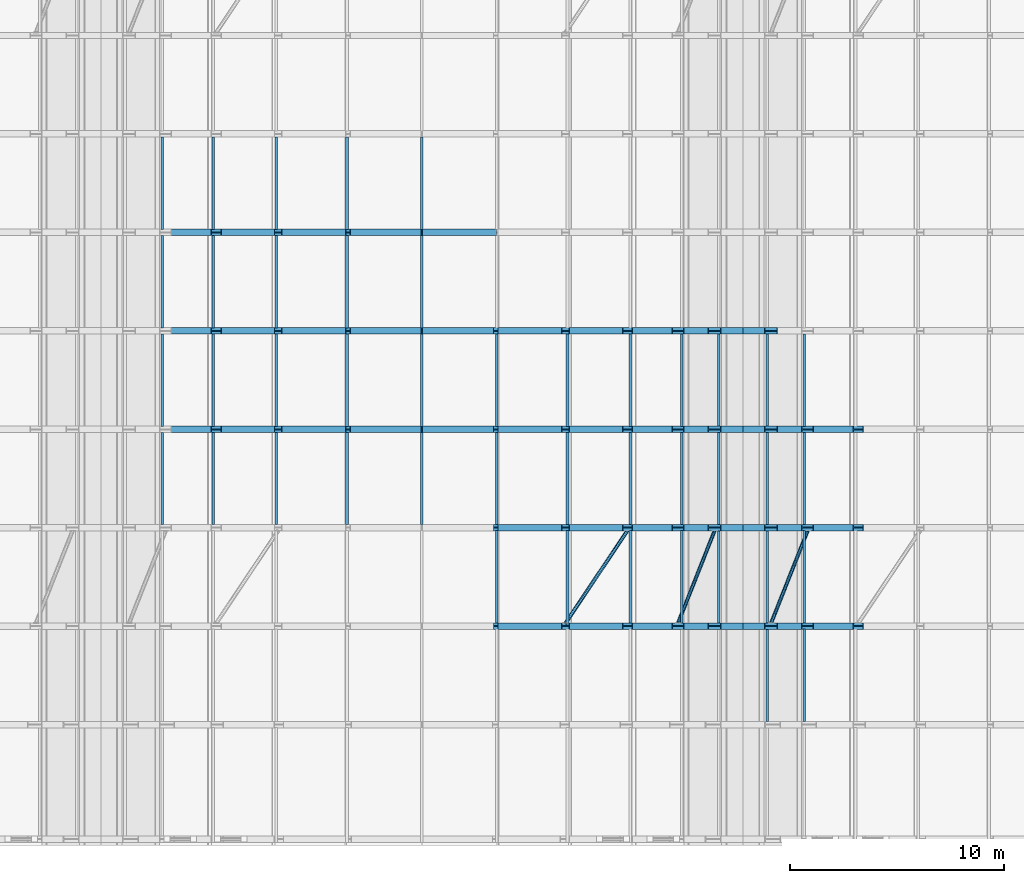
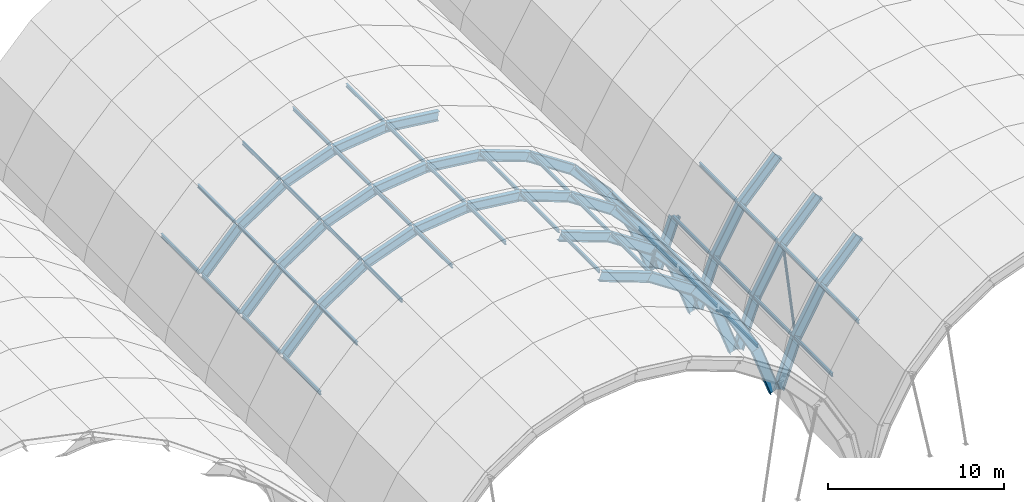
# One storey, part 10 of 47: 88 beams, 3 members.
"""IFC4 building model written with IfcOpenShell, lengths in metres."""

import ifcopenshell
import ifcopenshell.guid

model = None  # the IFC model being written
_history = None  # IfcOwnerHistory: only IFC2X3 demands one
_inside = {}  # id of a spatial element -> (the spatial element, [elements in it])
_under = {}  # id of a project, library or spatial element -> (it, [spatial elements below it])
_declared = {}  # id of a project -> (the project, [libraries it declares])
_typed = {}  # id of a type object -> (the type object, [elements of that type])
_made_of = {}  # id of a material, layer set ... -> (it, [elements and type objects made of it])


def new_model(schema):
    """Start an empty IFC model of exactly this schema.

    Asked for "IFC4X3", IfcOpenShell would pick the latest addendum, in which some entities
    have other attributes; the version numbers below select the first issue.
    IFC2X3 requires an IfcOwnerHistory on every rooted entity: one is made here for all.
    """
    global model, _history
    if schema == "IFC4X3":
        model = ifcopenshell.file(schema_version=(4, 3, 0, 0))
    else:
        model = ifcopenshell.file(schema=schema)
    _inside.clear()
    _under.clear()
    _declared.clear()
    _typed.clear()
    _made_of.clear()
    _history = None
    if model.schema == "IFC2X3":
        org = make("IfcOrganization", Name="unknown")
        user = make(
            "IfcPersonAndOrganization",
            ThePerson=make("IfcPerson", FamilyName="unknown"),
            TheOrganization=org,
        )
        app = make(
            "IfcApplication",
            ApplicationDeveloper=org,
            Version="unknown",
            ApplicationFullName="unknown",
            ApplicationIdentifier="unknown",
        )
        _history = make(
            "IfcOwnerHistory",
            OwningUser=user,
            OwningApplication=app,
            ChangeAction="ADDED",
            CreationDate=0,
        )
    return model


def make(cls, **values):
    """One entity of the class cls with the attributes given. An attribute that is None is left unset."""
    return model.create_entity(
        cls, **{name: value for name, value in values.items() if value is not None}
    )


def rooted(cls, **values):
    """An entity with a GlobalId (a new one), such as an element, a storey or a relation."""
    return make(cls, GlobalId=ifcopenshell.guid.new(), OwnerHistory=_history, **values)


def si_unit(unit_type, name, prefix=None):
    """IfcSIUnit, for example si_unit("LENGTHUNIT", "METRE", prefix="MILLI")."""
    return make("IfcSIUnit", UnitType=unit_type, Prefix=prefix, Name=name)


def assignment(units):
    """IfcUnitAssignment: the units of a project."""
    return None if units is None else make("IfcUnitAssignment", Units=units)


def point(xyz):
    """IfcCartesianPoint."""
    return None if xyz is None else make("IfcCartesianPoint", Coordinates=xyz)


def direction(xyz):
    """IfcDirection."""
    return None if xyz is None else make("IfcDirection", DirectionRatios=xyz)


def frame(location, z_axis=None, x_axis=None):
    """IfcAxis2Placement3D, a coordinate frame: its origin and axes. An axis left out is left unset."""
    return make(
        "IfcAxis2Placement3D",
        Location=point(location),
        Axis=direction(z_axis),
        RefDirection=direction(x_axis),
    )


def frame_2d(location, x_axis=None):
    """IfcAxis2Placement2D, a coordinate frame in the plane: its origin and x axis."""
    return make(
        "IfcAxis2Placement2D", Location=point(location), RefDirection=direction(x_axis)
    )


def origin():
    """The frame at (0, 0, 0) with its axes left unset."""
    return frame((0.0, 0.0, 0.0))


def origin_2d():
    """The frame at (0, 0) in the plane with its x axis left unset."""
    return frame_2d((0.0, 0.0))


def place(relative_to, where):
    """IfcLocalPlacement: puts the frame where relative to a parent placement (None: the world)."""
    return make(
        "IfcLocalPlacement", PlacementRelTo=relative_to, RelativePlacement=where
    )


def context(
    kind, dimensions, precision=None, world=None, true_north=None, identifier=None
):
    """IfcGeometricRepresentationContext, for example the 3D "Model" context."""
    return make(
        "IfcGeometricRepresentationContext",
        ContextIdentifier=identifier,
        ContextType=kind,
        CoordinateSpaceDimension=dimensions,
        Precision=precision,
        WorldCoordinateSystem=world,
        TrueNorth=true_north,
    )


def subcontext(parent, identifier, kind, view, scale=None):
    """IfcGeometricRepresentationSubContext, for example "Body" below "Model"."""
    return make(
        "IfcGeometricRepresentationSubContext",
        ContextIdentifier=identifier,
        ContextType=kind,
        ParentContext=parent,
        TargetScale=scale,
        TargetView=view,
    )


def project(units=None, contexts=None):
    """IfcProject with its units and contexts."""
    return rooted(
        "IfcProject",
        Name="project",
        RepresentationContexts=contexts,
        UnitsInContext=assignment(units),
    )


def spatial(cls, under=None, at=None, **own):
    """A site, building, storey or space (cls), placed at a placement, below another one or the project."""
    s = rooted(cls, ObjectPlacement=at, **own)
    if under is not None:
        _under.setdefault(under.id(), (under, []))[1].append(s)
    return s


def profile(cls, at=None, kind="AREA", **sizes):
    """A parametric profile (cls). Its sizes go by their IFC names, for example OverallWidth=200.0."""
    return make(cls, ProfileType=kind, Position=at, **sizes)


def hollow_circle(**sizes):
    """IfcCircleHollowProfileDef."""
    return profile("IfcCircleHollowProfileDef", **sizes)


def i_section(**sizes):
    """IfcIShapeProfileDef."""
    return profile("IfcIShapeProfileDef", **sizes)


def extrude(swept, where, along, depth):
    """IfcExtrudedAreaSolid: the profile swept, set in the frame where, extruded along a direction by depth."""
    return make(
        "IfcExtrudedAreaSolid",
        SweptArea=swept,
        Position=where,
        ExtrudedDirection=direction(along),
        Depth=depth,
    )


def shape(context_of_items, identifier, shape_type, items):
    """IfcShapeRepresentation: the items that make up one representation, for example the "Body"."""
    return make(
        "IfcShapeRepresentation",
        ContextOfItems=context_of_items,
        RepresentationIdentifier=identifier,
        RepresentationType=shape_type,
        Items=items,
    )


def material(Name=None, Category=None):
    """IfcMaterial."""
    return make("IfcMaterial", Name=Name, Category=Category)


def material_profile(
    of_material, cross_section, Name=None, Category=None, Priority=None
):
    """IfcMaterialProfile: a cross section and its material."""
    return make(
        "IfcMaterialProfile",
        Name=Name,
        Material=of_material,
        Profile=cross_section,
        Priority=Priority,
        Category=Category,
    )


def profile_set(profiles, Name=None, composite=None):
    """IfcMaterialProfileSet."""
    return make(
        "IfcMaterialProfileSet",
        Name=Name,
        MaterialProfiles=profiles,
        CompositeProfile=composite,
    )


def made_of(thing, what):
    """Note that an element or type object is made of a material, layer set ...; save() writes the relation."""
    if what is not None:
        _made_of.setdefault(what.id(), (what, []))[1].append(thing)
    return thing


def type_object(cls, material=None, **own):
    """A type object (cls), such as IfcWallType, which elements share."""
    return made_of(rooted(cls, **own), material)


def element(
    cls,
    number,
    at=None,
    inside=None,
    cuts=None,
    type_object=None,
    material=None,
    context=None,
    identifier="Body",
    shape_type=None,
    held_by="IfcProductDefinitionShape",
    body=None,
    shapes=None,
    **own,
):
    """One element of the class cls, such as IfcWall. Its Tag is "e" and its number.

    at: its placement. inside: the storey or other place that contains it. cuts: it is an
    opening in that element (IfcRelVoidsElement). A single representation is given by context,
    identifier, shape_type and body (its items); several are given by shapes. held_by: the class
    of the entity that holds the representations. save() writes the other relations.
    """
    e = rooted(cls, Tag="e%d" % number, ObjectPlacement=at, **own)
    if body is not None:
        shapes = [shape(context, identifier, shape_type, body)]
    if shapes is not None:
        e.Representation = make(held_by, Representations=shapes)
    if inside is not None:
        _inside.setdefault(inside.id(), (inside, []))[1].append(e)
    if cuts is not None:
        rooted(
            "IfcRelVoidsElement", RelatingBuildingElement=cuts, RelatedOpeningElement=e
        )
    if type_object is not None:
        _typed.setdefault(type_object.id(), (type_object, []))[1].append(e)
    return made_of(e, material)


def aggregate(whole, parts):
    """IfcRelAggregates: a whole, such as a stair, and the parts it consists of."""
    return rooted("IfcRelAggregates", RelatingObject=whole, RelatedObjects=parts)


def save(model, path):
    """Write the relations noted so far, then the file.

    IfcRelAggregates (storeys below a building ...), IfcRelContainedInSpatialStructure (elements
    in a storey), IfcRelDefinesByType, IfcRelAssociatesMaterial and IfcRelDeclares: one each for
    every whole, place, type object, material and project.
    """
    for whole, parts in _under.values():
        aggregate(whole, parts)
    for where, things in _inside.values():
        rooted(
            "IfcRelContainedInSpatialStructure",
            RelatedElements=things,
            RelatingStructure=where,
        )
    for kind, things in _typed.values():
        rooted("IfcRelDefinesByType", RelatedObjects=things, RelatingType=kind)
    for what, things in _made_of.values():
        rooted("IfcRelAssociatesMaterial", RelatedObjects=things, RelatingMaterial=what)
    for by, libraries in _declared.values():
        rooted("IfcRelDeclares", RelatingContext=by, RelatedDefinitions=libraries)
    model.write(path)


model = new_model("IFC4")

# Units and contexts
model_context = context("Model", 3, precision=1e-05, world=origin(), true_north=direction((0.0, 1.0)))
body_context = subcontext(model_context, "Body", "Model", "MODEL_VIEW")
ifc_project = project(units=[si_unit("LENGTHUNIT", "METRE"), si_unit("AREAUNIT", "SQUARE_METRE"), si_unit("VOLUMEUNIT", "CUBIC_METRE"), si_unit("PLANEANGLEUNIT", "RADIAN"), si_unit("MASSUNIT", "GRAM", prefix="KILO")], contexts=[model_context])

# Site, building, storey
site_placement = place(None, origin())
site = spatial("IfcSite", under=ifc_project, at=site_placement, CompositionType="ELEMENT")
building_placement = place(site_placement, origin())
building = spatial("IfcBuilding", under=site, at=building_placement, Name="Muzn Square Opera House", CompositionType="ELEMENT")
storey_placement = place(building_placement, frame((0.0, 0.0, 31.0)))
storey = spatial("IfcBuildingStorey", under=building, at=storey_placement, Name="RF-1", CompositionType="ELEMENT", Elevation=31.0)

# Beams
ifc_material = material(Name="Steel S355", Category="steel")
ifc_material_profile_1 = material_profile(ifc_material, i_section(OverallWidth=0.1201171875, OverallDepth=0.239990234375, WebThickness=0.006103515625, FlangeThickness=0.009765625, FilletRadius=0.014892578125, at=origin_2d()), Name="IPE 240", Category="steel")
ifc_profile_set_1 = profile_set([ifc_material_profile_1], Name="Steel S355")
beam_type_1 = type_object("IfcBeamType", Name="Roof Purlin IPE240", PredefinedType="USERDEFINED", material=ifc_profile_set_1)
for number, where, z_axis, x_axis, name in (
    (1, (91.498046875, 31.340087890625, -0.3720703125), (0.0, 1.0, 0.0), (-1.0, 0.0, 0.0), "Barrel Vault Roof Purlin V2-02-P14"),
    (2, (94.80419921875, 31.340087890625, -1.5869140625), (0.0, 1.0, 0.0), (-1.0, 0.0, 0.0), "Barrel Vault Roof Purlin V2-02-P16"),
    (3, (97.7373046875, 31.340087890625, -3.537109375), (0.0, 1.0, 0.0), (-1.0, 0.0, 0.0), "Barrel Vault Roof Purlin V2-02-P18"),
    (4, (100.13623046875, 31.340087890625, -6.1162109375), (0.0, 1.0, 0.0), (-1.0, 0.0, 0.0), "Barrel Vault Roof Purlin V2-02-P20"),
    (5, (101.869384765625, 31.340087890625, -9.1826171875), (0.0, 1.0, 0.0), (-1.0, 0.0, 0.0), "Barrel Vault Roof Purlin V2-02-P22"),
):
    element("IfcBeam", number, at=place(storey_placement, frame(where, z_axis=z_axis, x_axis=x_axis)), inside=storey, type_object=beam_type_1, Name=name, ObjectType="PURLIN", PredefinedType="USERDEFINED", context=body_context, shape_type="SweptSolid", body=[
        extrude(i_section(OverallWidth=0.1201171875, OverallDepth=0.239990234375, WebThickness=0.006103515625, FlangeThickness=0.009765625, FilletRadius=0.014892578125, at=origin_2d()), origin(), (0.0, 0.0, 1.0), 4.31982421875),
    ])
for number, where, z_axis, x_axis, name in (
    (6, (75.86376953125, 35.93994140625, -6.1162109375), (0.0, 1.0, 0.0), (-1.0, 0.0, 0.0), "Barrel Vault Roof Purlin V2-03-P04"),
    (7, (78.2626953125, 35.93994140625, -3.537109375), (0.0, 1.0, 0.0), (-1.0, 0.0, 0.0), "Barrel Vault Roof Purlin V2-03-P06"),
    (8, (81.19580078125, 35.93994140625, -1.5869140625), (0.0, 1.0, 0.0), (-1.0, 0.0, 0.0), "Barrel Vault Roof Purlin V2-03-P08"),
    (9, (84.501953125, 35.93994140625, -0.3720703125), (0.0, 1.0, 0.0), (-1.0, 0.0, 0.0), "Barrel Vault Roof Purlin V2-03-P10"),
    (10, (88.0, 35.93994140625, 0.0400390625), (0.0, 1.0, 0.0), (-1.0, 0.0, 0.0), "Barrel Vault Roof Purlin V2-03-P12"),
    (11, (91.498046875, 35.93994140625, -0.3720703125), (0.0, 1.0, 0.0), (-1.0, 0.0, 0.0), "Barrel Vault Roof Purlin V2-03-P14"),
    (12, (94.80419921875, 35.93994140625, -1.5869140625), (0.0, 1.0, 0.0), (-1.0, 0.0, 0.0), "Barrel Vault Roof Purlin V2-03-P16"),
    (13, (97.7373046875, 35.93994140625, -3.537109375), (0.0, 1.0, 0.0), (-1.0, 0.0, 0.0), "Barrel Vault Roof Purlin V2-03-P18"),
    (14, (100.13623046875, 35.93994140625, -6.1162109375), (0.0, 1.0, 0.0), (-1.0, 0.0, 0.0), "Barrel Vault Roof Purlin V2-03-P20"),
    (15, (101.869384765625, 35.93994140625, -9.1826171875), (0.0, 1.0, 0.0), (-1.0, 0.0, 0.0), "Barrel Vault Roof Purlin V2-03-P22"),
    (16, (75.86376953125, 40.5400390625, -6.1162109375), (0.0, 1.0, 0.0), (-1.0, 0.0, 0.0), "Barrel Vault Roof Purlin V2-04-P04"),
    (17, (78.2626953125, 40.5400390625, -3.537109375), (0.0, 1.0, 0.0), (-1.0, 0.0, 0.0), "Barrel Vault Roof Purlin V2-04-P06"),
    (18, (81.19580078125, 40.5400390625, -1.5869140625), (0.0, 1.0, 0.0), (-1.0, 0.0, 0.0), "Barrel Vault Roof Purlin V2-04-P08"),
    (19, (84.501953125, 40.5400390625, -0.3720703125), (0.0, 1.0, 0.0), (-1.0, 0.0, 0.0), "Barrel Vault Roof Purlin V2-04-P10"),
    (20, (88.0, 40.5400390625, 0.0400390625), (0.0, 1.0, 0.0), (-1.0, 0.0, 0.0), "Barrel Vault Roof Purlin V2-04-P12"),
    (21, (91.498046875, 40.5400390625, -0.3720703125), (0.0, 1.0, 0.0), (-1.0, 0.0, 0.0), "Barrel Vault Roof Purlin V2-04-P14"),
    (22, (94.80419921875, 40.5400390625, -1.5869140625), (0.0, 1.0, 0.0), (-1.0, 0.0, 0.0), "Barrel Vault Roof Purlin V2-04-P16"),
    (23, (97.7373046875, 40.5400390625, -3.537109375), (0.0, 1.0, 0.0), (-1.0, 0.0, 0.0), "Barrel Vault Roof Purlin V2-04-P18"),
    (24, (100.13623046875, 40.5400390625, -6.1162109375), (0.0, 1.0, 0.0), (-1.0, 0.0, 0.0), "Barrel Vault Roof Purlin V2-04-P20"),
    (25, (101.869384765625, 40.5400390625, -9.1826171875), (0.0, 1.0, 0.0), (-1.0, 0.0, 0.0), "Barrel Vault Roof Purlin V2-04-P22"),
    (26, (75.86376953125, 45.139892578125, -6.1162109375), (0.0, 1.0, 0.0), (-1.0, 0.0, 0.0), "Barrel Vault Roof Purlin V2-05-P04"),
    (27, (78.2626953125, 45.139892578125, -3.537109375), (0.0, 1.0, 0.0), (-1.0, 0.0, 0.0), "Barrel Vault Roof Purlin V2-05-P06"),
    (28, (81.19580078125, 45.139892578125, -1.5869140625), (0.0, 1.0, 0.0), (-1.0, 0.0, 0.0), "Barrel Vault Roof Purlin V2-05-P08"),
    (29, (84.501953125, 45.139892578125, -0.3720703125), (0.0, 1.0, 0.0), (-1.0, 0.0, 0.0), "Barrel Vault Roof Purlin V2-05-P10"),
    (30, (88.0, 45.139892578125, 0.0400390625), (0.0, 1.0, 0.0), (-1.0, 0.0, 0.0), "Barrel Vault Roof Purlin V2-05-P12"),
    (31, (75.86376953125, 49.739990234375, -6.1162109375), (0.0, 1.0, 0.0), (-1.0, 0.0, 0.0), "Barrel Vault Roof Purlin V2-06-P04"),
    (32, (78.2626953125, 49.739990234375, -3.537109375), (0.0, 1.0, 0.0), (-1.0, 0.0, 0.0), "Barrel Vault Roof Purlin V2-06-P06"),
    (33, (81.19580078125, 49.739990234375, -1.5869140625), (0.0, 1.0, 0.0), (-1.0, 0.0, 0.0), "Barrel Vault Roof Purlin V2-06-P08"),
    (34, (84.501953125, 49.739990234375, -0.3720703125), (0.0, 1.0, 0.0), (-1.0, 0.0, 0.0), "Barrel Vault Roof Purlin V2-06-P10"),
    (35, (88.0, 49.739990234375, 0.0400390625), (0.0, 1.0, 0.0), (-1.0, 0.0, 0.0), "Barrel Vault Roof Purlin V2-06-P12"),
    (36, (104.130615234375, 26.739990234375, -9.1826171875), (0.0, 1.0, 0.0), (-1.0, 0.0, 0.0), "Barrel Vault Roof Purlin V3-01-P02"),
    (37, (105.86376953125, 26.739990234375, -6.1162109375), (0.0, 1.0, 0.0), (-1.0, 0.0, 0.0), "Barrel Vault Roof Purlin V3-01-P04"),
):
    element("IfcBeam", number, at=place(storey_placement, frame(where, z_axis=z_axis, x_axis=x_axis)), inside=storey, type_object=beam_type_1, Name=name, ObjectType="PURLIN", PredefinedType="USERDEFINED", context=body_context, shape_type="SweptSolid", body=[
        extrude(i_section(OverallWidth=0.1201171875, OverallDepth=0.239990234375, WebThickness=0.006103515625, FlangeThickness=0.009765625, FilletRadius=0.014892578125, at=origin_2d()), origin(), (0.0, 0.0, 1.0), 4.320068359375),
    ])
for number, where, z_axis, x_axis, name in (
    (38, (104.130615234375, 31.340087890625, -9.1826171875), (0.0, 1.0, 0.0), (-1.0, 0.0, 0.0), "Barrel Vault Roof Purlin V3-02-P02"),
    (39, (105.86376953125, 31.340087890625, -6.1162109375), (0.0, 1.0, 0.0), (-1.0, 0.0, 0.0), "Barrel Vault Roof Purlin V3-02-P04"),
):
    element("IfcBeam", number, at=place(storey_placement, frame(where, z_axis=z_axis, x_axis=x_axis)), inside=storey, type_object=beam_type_1, Name=name, ObjectType="PURLIN", PredefinedType="USERDEFINED", context=body_context, shape_type="SweptSolid", body=[
        extrude(i_section(OverallWidth=0.1201171875, OverallDepth=0.239990234375, WebThickness=0.006103515625, FlangeThickness=0.009765625, FilletRadius=0.014892578125, at=origin_2d()), origin(), (0.0, 0.0, 1.0), 4.31982421875),
    ])
for number, where, z_axis, x_axis, name in (
    (40, (104.130615234375, 35.93994140625, -9.1826171875), (0.0, 1.0, 0.0), (-1.0, 0.0, 0.0), "Barrel Vault Roof Purlin V3-03-P02"),
    (41, (105.86376953125, 35.93994140625, -6.1162109375), (0.0, 1.0, 0.0), (-1.0, 0.0, 0.0), "Barrel Vault Roof Purlin V3-03-P04"),
    (42, (104.130615234375, 40.5400390625, -9.1826171875), (0.0, 1.0, 0.0), (-1.0, 0.0, 0.0), "Barrel Vault Roof Purlin V3-04-P02"),
    (43, (105.86376953125, 40.5400390625, -6.1162109375), (0.0, 1.0, 0.0), (-1.0, 0.0, 0.0), "Barrel Vault Roof Purlin V3-04-P04"),
):
    element("IfcBeam", number, at=place(storey_placement, frame(where, z_axis=z_axis, x_axis=x_axis)), inside=storey, type_object=beam_type_1, Name=name, ObjectType="PURLIN", PredefinedType="USERDEFINED", context=body_context, shape_type="SweptSolid", body=[
        extrude(i_section(OverallWidth=0.1201171875, OverallDepth=0.239990234375, WebThickness=0.006103515625, FlangeThickness=0.009765625, FilletRadius=0.014892578125, at=origin_2d()), origin(), (0.0, 0.0, 1.0), 4.320068359375),
    ])
ifc_material_profile_2 = material_profile(ifc_material, i_section(OverallWidth=0.300048828125, OverallDepth=0.64990234375, WebThickness=0.01611328125, FlangeThickness=0.031005859375, FilletRadius=0.027099609375, at=origin_2d()), Name="HEB 650", Category="steel")
ifc_profile_set_2 = profile_set([ifc_material_profile_2], Name="Steel S355")
beam_type_2 = type_object("IfcBeamType", Name="Vault Arch Rib HEB650", PredefinedType="BEAM", material=ifc_profile_set_2)
beam_1_placement = place(storey_placement, frame((91.450439453125, 31.199951171875, -0.571533203125), z_axis=(0.938661867851, 0.0, -0.344838944789), x_axis=(0.0, 1.0, 0.0)))
element("IfcBeam", 44, at=beam_1_placement, inside=storey, type_object=beam_type_2, Name="Barrel Vault Arch Rib V2-02-S07", PredefinedType="BEAM", context=body_context, shape_type="SweptSolid", body=[
    extrude(i_section(OverallWidth=0.300048828125, OverallDepth=0.64990234375, WebThickness=0.01611328125, FlangeThickness=0.031005859375, FilletRadius=0.027099609375, at=origin_2d()), origin(), (0.0, 0.0, 1.0), 3.47412109375),
])
for number, where, z_axis, x_axis, name in (
    (45, (94.71142578125, 31.199951171875, -1.76953125), (0.832698370736, 0.0, -0.553726849063), (0.0, 1.0, 0.0), "Barrel Vault Arch Rib V2-02-S08"),
    (46, (97.6044921875, 31.199951171875, -3.693359375), (0.681065393401, 0.0, -0.732222595876), (0.0, 1.0, 0.0), "Barrel Vault Arch Rib V2-02-S09"),
):
    element("IfcBeam", number, at=place(storey_placement, frame(where, z_axis=z_axis, x_axis=x_axis)), inside=storey, type_object=beam_type_2, Name=name, PredefinedType="BEAM", context=body_context, shape_type="SweptSolid", body=[
        extrude(i_section(OverallWidth=0.300048828125, OverallDepth=0.64990234375, WebThickness=0.01611328125, FlangeThickness=0.031005859375, FilletRadius=0.027099609375, at=origin_2d()), origin(), (0.0, 0.0, 1.0), 3.474365234375),
    ])
beam_2_placement = place(storey_placement, frame((99.970703125, 31.199951171875, -6.2373046875), z_axis=(0.492115144444, 0.0, -0.870530117003), x_axis=(0.0, 1.0, 0.0)))
element("IfcBeam", 47, at=beam_2_placement, inside=storey, type_object=beam_type_2, Name="Barrel Vault Arch Rib V2-02-S10", PredefinedType="BEAM", context=body_context, shape_type="SweptSolid", body=[
    extrude(i_section(OverallWidth=0.300048828125, OverallDepth=0.64990234375, WebThickness=0.01611328125, FlangeThickness=0.031005859375, FilletRadius=0.027099609375, at=origin_2d()), origin(), (0.0, 0.0, 1.0), 3.47412109375),
])
beam_3_placement = place(storey_placement, frame((101.680419921875, 31.199951171875, -9.26171875), z_axis=(0.342678144973, 0.0, -0.93945286681), x_axis=(0.0, 1.0, 0.0)))
element("IfcBeam", 48, at=beam_3_placement, inside=storey, type_object=beam_type_2, Name="Barrel Vault Arch Rib V2-02-S11", PredefinedType="BEAM", context=body_context, shape_type="SweptSolid", body=[
    extrude(i_section(OverallWidth=0.300048828125, OverallDepth=0.64990234375, WebThickness=0.01611328125, FlangeThickness=0.031005859375, FilletRadius=0.027099609375, at=origin_2d()), origin(), (0.0, 0.0, 1.0), 3.500244140625),
])
beam_4_placement = place(storey_placement, frame((91.450439453125, 35.800048828125, -0.571533203125), z_axis=(0.938661867851, 0.0, -0.344838944789), x_axis=(0.0, 1.0, 0.0)))
element("IfcBeam", 49, at=beam_4_placement, inside=storey, type_object=beam_type_2, Name="Barrel Vault Arch Rib V2-03-S07", PredefinedType="BEAM", context=body_context, shape_type="SweptSolid", body=[
    extrude(i_section(OverallWidth=0.300048828125, OverallDepth=0.64990234375, WebThickness=0.01611328125, FlangeThickness=0.031005859375, FilletRadius=0.027099609375, at=origin_2d()), origin(), (0.0, 0.0, 1.0), 3.47412109375),
])
for number, where, z_axis, x_axis, name in (
    (50, (94.71142578125, 35.800048828125, -1.76953125), (0.832698370736, 0.0, -0.553726849063), (0.0, 1.0, 0.0), "Barrel Vault Arch Rib V2-03-S08"),
    (51, (97.6044921875, 35.800048828125, -3.693359375), (0.681065393401, 0.0, -0.732222595876), (0.0, 1.0, 0.0), "Barrel Vault Arch Rib V2-03-S09"),
):
    element("IfcBeam", number, at=place(storey_placement, frame(where, z_axis=z_axis, x_axis=x_axis)), inside=storey, type_object=beam_type_2, Name=name, PredefinedType="BEAM", context=body_context, shape_type="SweptSolid", body=[
        extrude(i_section(OverallWidth=0.300048828125, OverallDepth=0.64990234375, WebThickness=0.01611328125, FlangeThickness=0.031005859375, FilletRadius=0.027099609375, at=origin_2d()), origin(), (0.0, 0.0, 1.0), 3.474365234375),
    ])
beam_5_placement = place(storey_placement, frame((99.970703125, 35.800048828125, -6.2373046875), z_axis=(0.492115144444, 0.0, -0.870530117003), x_axis=(0.0, 1.0, 0.0)))
element("IfcBeam", 52, at=beam_5_placement, inside=storey, type_object=beam_type_2, Name="Barrel Vault Arch Rib V2-03-S10", PredefinedType="BEAM", context=body_context, shape_type="SweptSolid", body=[
    extrude(i_section(OverallWidth=0.300048828125, OverallDepth=0.64990234375, WebThickness=0.01611328125, FlangeThickness=0.031005859375, FilletRadius=0.027099609375, at=origin_2d()), origin(), (0.0, 0.0, 1.0), 3.47412109375),
])
beam_6_placement = place(storey_placement, frame((101.680419921875, 35.800048828125, -9.26171875), z_axis=(0.342678144973, 0.0, -0.93945286681), x_axis=(0.0, 1.0, 0.0)))
element("IfcBeam", 53, at=beam_6_placement, inside=storey, type_object=beam_type_2, Name="Barrel Vault Arch Rib V2-03-S11", PredefinedType="BEAM", context=body_context, shape_type="SweptSolid", body=[
    extrude(i_section(OverallWidth=0.300048828125, OverallDepth=0.64990234375, WebThickness=0.01611328125, FlangeThickness=0.031005859375, FilletRadius=0.027099609375, at=origin_2d()), origin(), (0.0, 0.0, 1.0), 3.500244140625),
])
for number, where, z_axis, x_axis, name in (
    (54, (76.029296875, 40.39990234375, -6.2373046875), (0.681065393401, 0.0, 0.732222595876), (0.0, 1.0, 0.0), "Barrel Vault Arch Rib V2-04-S02"),
    (55, (78.3955078125, 40.39990234375, -3.693359375), (0.832698370736, 0.0, 0.553726849063), (0.0, 1.0, 0.0), "Barrel Vault Arch Rib V2-04-S03"),
):
    element("IfcBeam", number, at=place(storey_placement, frame(where, z_axis=z_axis, x_axis=x_axis)), inside=storey, type_object=beam_type_2, Name=name, PredefinedType="BEAM", context=body_context, shape_type="SweptSolid", body=[
        extrude(i_section(OverallWidth=0.300048828125, OverallDepth=0.64990234375, WebThickness=0.01611328125, FlangeThickness=0.031005859375, FilletRadius=0.027099609375, at=origin_2d()), origin(), (0.0, 0.0, 1.0), 3.474365234375),
    ])
beam_7_placement = place(storey_placement, frame((81.28857421875, 40.39990234375, -1.76953125), z_axis=(0.938661867851, 0.0, 0.344838944789), x_axis=(0.0, 1.0, 0.0)))
element("IfcBeam", 56, at=beam_7_placement, inside=storey, type_object=beam_type_2, Name="Barrel Vault Arch Rib V2-04-S04", PredefinedType="BEAM", context=body_context, shape_type="SweptSolid", body=[
    extrude(i_section(OverallWidth=0.300048828125, OverallDepth=0.64990234375, WebThickness=0.01611328125, FlangeThickness=0.031005859375, FilletRadius=0.027099609375, at=origin_2d()), origin(), (0.0, 0.0, 1.0), 3.47412109375),
])
for number, where, z_axis, x_axis, name in (
    (57, (84.549560546875, 40.39990234375, -0.571533203125), (0.993131884792, 0.0, 0.117000253887), (0.0, 1.0, 0.0), "Barrel Vault Arch Rib V2-04-S05"),
    (58, (88.0, 40.39990234375, -0.1650390625), (0.993131884792, 0.0, -0.117000253887), (0.0, 1.0, 0.0), "Barrel Vault Arch Rib V2-04-S06"),
):
    element("IfcBeam", number, at=place(storey_placement, frame(where, z_axis=z_axis, x_axis=x_axis)), inside=storey, type_object=beam_type_2, Name=name, PredefinedType="BEAM", context=body_context, shape_type="SweptSolid", body=[
        extrude(i_section(OverallWidth=0.300048828125, OverallDepth=0.64990234375, WebThickness=0.01611328125, FlangeThickness=0.031005859375, FilletRadius=0.027099609375, at=origin_2d()), origin(), (0.0, 0.0, 1.0), 3.474365234375),
    ])
beam_8_placement = place(storey_placement, frame((91.450439453125, 40.39990234375, -0.571533203125), z_axis=(0.938661867851, 0.0, -0.344838944789), x_axis=(0.0, 1.0, 0.0)))
element("IfcBeam", 59, at=beam_8_placement, inside=storey, type_object=beam_type_2, Name="Barrel Vault Arch Rib V2-04-S07", PredefinedType="BEAM", context=body_context, shape_type="SweptSolid", body=[
    extrude(i_section(OverallWidth=0.300048828125, OverallDepth=0.64990234375, WebThickness=0.01611328125, FlangeThickness=0.031005859375, FilletRadius=0.027099609375, at=origin_2d()), origin(), (0.0, 0.0, 1.0), 3.47412109375),
])
for number, where, z_axis, x_axis, name in (
    (60, (94.71142578125, 40.39990234375, -1.76953125), (0.832698370736, 0.0, -0.553726849063), (0.0, 1.0, 0.0), "Barrel Vault Arch Rib V2-04-S08"),
    (61, (97.6044921875, 40.39990234375, -3.693359375), (0.681065393401, 0.0, -0.732222595876), (0.0, 1.0, 0.0), "Barrel Vault Arch Rib V2-04-S09"),
):
    element("IfcBeam", number, at=place(storey_placement, frame(where, z_axis=z_axis, x_axis=x_axis)), inside=storey, type_object=beam_type_2, Name=name, PredefinedType="BEAM", context=body_context, shape_type="SweptSolid", body=[
        extrude(i_section(OverallWidth=0.300048828125, OverallDepth=0.64990234375, WebThickness=0.01611328125, FlangeThickness=0.031005859375, FilletRadius=0.027099609375, at=origin_2d()), origin(), (0.0, 0.0, 1.0), 3.474365234375),
    ])
beam_9_placement = place(storey_placement, frame((99.970703125, 40.39990234375, -6.2373046875), z_axis=(0.492115144444, 0.0, -0.870530117003), x_axis=(0.0, 1.0, 0.0)))
element("IfcBeam", 62, at=beam_9_placement, inside=storey, type_object=beam_type_2, Name="Barrel Vault Arch Rib V2-04-S10", PredefinedType="BEAM", context=body_context, shape_type="SweptSolid", body=[
    extrude(i_section(OverallWidth=0.300048828125, OverallDepth=0.64990234375, WebThickness=0.01611328125, FlangeThickness=0.031005859375, FilletRadius=0.027099609375, at=origin_2d()), origin(), (0.0, 0.0, 1.0), 3.47412109375),
])
beam_10_placement = place(storey_placement, frame((101.680419921875, 40.39990234375, -9.26171875), z_axis=(0.342678144973, 0.0, -0.93945286681), x_axis=(0.0, 1.0, 0.0)))
element("IfcBeam", 63, at=beam_10_placement, inside=storey, type_object=beam_type_2, Name="Barrel Vault Arch Rib V2-04-S11", PredefinedType="BEAM", context=body_context, shape_type="SweptSolid", body=[
    extrude(i_section(OverallWidth=0.300048828125, OverallDepth=0.64990234375, WebThickness=0.01611328125, FlangeThickness=0.031005859375, FilletRadius=0.027099609375, at=origin_2d()), origin(), (0.0, 0.0, 1.0), 3.500244140625),
])
for number, where, z_axis, x_axis, name in (
    (64, (76.029296875, 45.0, -6.2373046875), (0.681065393401, 0.0, 0.732222595876), (0.0, 1.0, 0.0), "Barrel Vault Arch Rib V2-05-S02"),
    (65, (78.3955078125, 45.0, -3.693359375), (0.832698370736, 0.0, 0.553726849063), (0.0, 1.0, 0.0), "Barrel Vault Arch Rib V2-05-S03"),
):
    element("IfcBeam", number, at=place(storey_placement, frame(where, z_axis=z_axis, x_axis=x_axis)), inside=storey, type_object=beam_type_2, Name=name, PredefinedType="BEAM", context=body_context, shape_type="SweptSolid", body=[
        extrude(i_section(OverallWidth=0.300048828125, OverallDepth=0.64990234375, WebThickness=0.01611328125, FlangeThickness=0.031005859375, FilletRadius=0.027099609375, at=origin_2d()), origin(), (0.0, 0.0, 1.0), 3.474365234375),
    ])
beam_11_placement = place(storey_placement, frame((81.28857421875, 45.0, -1.76953125), z_axis=(0.938661867851, 0.0, 0.344838944789), x_axis=(0.0, 1.0, 0.0)))
element("IfcBeam", 66, at=beam_11_placement, inside=storey, type_object=beam_type_2, Name="Barrel Vault Arch Rib V2-05-S04", PredefinedType="BEAM", context=body_context, shape_type="SweptSolid", body=[
    extrude(i_section(OverallWidth=0.300048828125, OverallDepth=0.64990234375, WebThickness=0.01611328125, FlangeThickness=0.031005859375, FilletRadius=0.027099609375, at=origin_2d()), origin(), (0.0, 0.0, 1.0), 3.47412109375),
])
for number, where, z_axis, x_axis, name in (
    (67, (84.549560546875, 45.0, -0.571533203125), (0.993131884792, 0.0, 0.117000253887), (0.0, 1.0, 0.0), "Barrel Vault Arch Rib V2-05-S05"),
    (68, (88.0, 45.0, -0.1650390625), (0.993131884792, 0.0, -0.117000253887), (0.0, 1.0, 0.0), "Barrel Vault Arch Rib V2-05-S06"),
):
    element("IfcBeam", number, at=place(storey_placement, frame(where, z_axis=z_axis, x_axis=x_axis)), inside=storey, type_object=beam_type_2, Name=name, PredefinedType="BEAM", context=body_context, shape_type="SweptSolid", body=[
        extrude(i_section(OverallWidth=0.300048828125, OverallDepth=0.64990234375, WebThickness=0.01611328125, FlangeThickness=0.031005859375, FilletRadius=0.027099609375, at=origin_2d()), origin(), (0.0, 0.0, 1.0), 3.474365234375),
    ])
beam_12_placement = place(storey_placement, frame((91.450439453125, 45.0, -0.571533203125), z_axis=(0.938661867851, 0.0, -0.344838944789), x_axis=(0.0, 1.0, 0.0)))
element("IfcBeam", 69, at=beam_12_placement, inside=storey, type_object=beam_type_2, Name="Barrel Vault Arch Rib V2-05-S07", PredefinedType="BEAM", context=body_context, shape_type="SweptSolid", body=[
    extrude(i_section(OverallWidth=0.300048828125, OverallDepth=0.64990234375, WebThickness=0.01611328125, FlangeThickness=0.031005859375, FilletRadius=0.027099609375, at=origin_2d()), origin(), (0.0, 0.0, 1.0), 3.47412109375),
])
for number, where, z_axis, x_axis, name in (
    (70, (94.71142578125, 45.0, -1.76953125), (0.832698370736, 0.0, -0.553726849063), (0.0, 1.0, 0.0), "Barrel Vault Arch Rib V2-05-S08"),
    (71, (97.6044921875, 45.0, -3.693359375), (0.681065393401, 0.0, -0.732222595876), (0.0, 1.0, 0.0), "Barrel Vault Arch Rib V2-05-S09"),
):
    element("IfcBeam", number, at=place(storey_placement, frame(where, z_axis=z_axis, x_axis=x_axis)), inside=storey, type_object=beam_type_2, Name=name, PredefinedType="BEAM", context=body_context, shape_type="SweptSolid", body=[
        extrude(i_section(OverallWidth=0.300048828125, OverallDepth=0.64990234375, WebThickness=0.01611328125, FlangeThickness=0.031005859375, FilletRadius=0.027099609375, at=origin_2d()), origin(), (0.0, 0.0, 1.0), 3.474365234375),
    ])
beam_13_placement = place(storey_placement, frame((99.970703125, 45.0, -6.2373046875), z_axis=(0.492115144444, 0.0, -0.870530117003), x_axis=(0.0, 1.0, 0.0)))
element("IfcBeam", 72, at=beam_13_placement, inside=storey, type_object=beam_type_2, Name="Barrel Vault Arch Rib V2-05-S10", PredefinedType="BEAM", context=body_context, shape_type="SweptSolid", body=[
    extrude(i_section(OverallWidth=0.300048828125, OverallDepth=0.64990234375, WebThickness=0.01611328125, FlangeThickness=0.031005859375, FilletRadius=0.027099609375, at=origin_2d()), origin(), (0.0, 0.0, 1.0), 3.47412109375),
])
beam_14_placement = place(storey_placement, frame((101.680419921875, 45.0, -9.26171875), z_axis=(0.342678144973, 0.0, -0.93945286681), x_axis=(0.0, 1.0, 0.0)))
element("IfcBeam", 73, at=beam_14_placement, inside=storey, type_object=beam_type_2, Name="Barrel Vault Arch Rib V2-05-S11", PredefinedType="BEAM", context=body_context, shape_type="SweptSolid", body=[
    extrude(i_section(OverallWidth=0.300048828125, OverallDepth=0.64990234375, WebThickness=0.01611328125, FlangeThickness=0.031005859375, FilletRadius=0.027099609375, at=origin_2d()), origin(), (0.0, 0.0, 1.0), 3.500244140625),
])
for number, where, z_axis, x_axis, name in (
    (74, (76.029296875, 49.60009765625, -6.2373046875), (0.681065393401, 0.0, 0.732222595876), (0.0, 1.0, 0.0), "Barrel Vault Arch Rib V2-06-S02"),
    (75, (78.3955078125, 49.60009765625, -3.693359375), (0.832698370736, 0.0, 0.553726849063), (0.0, 1.0, 0.0), "Barrel Vault Arch Rib V2-06-S03"),
):
    element("IfcBeam", number, at=place(storey_placement, frame(where, z_axis=z_axis, x_axis=x_axis)), inside=storey, type_object=beam_type_2, Name=name, PredefinedType="BEAM", context=body_context, shape_type="SweptSolid", body=[
        extrude(i_section(OverallWidth=0.300048828125, OverallDepth=0.64990234375, WebThickness=0.01611328125, FlangeThickness=0.031005859375, FilletRadius=0.027099609375, at=origin_2d()), origin(), (0.0, 0.0, 1.0), 3.474365234375),
    ])
beam_15_placement = place(storey_placement, frame((81.28857421875, 49.60009765625, -1.76953125), z_axis=(0.938661867851, 0.0, 0.344838944789), x_axis=(0.0, 1.0, 0.0)))
element("IfcBeam", 76, at=beam_15_placement, inside=storey, type_object=beam_type_2, Name="Barrel Vault Arch Rib V2-06-S04", PredefinedType="BEAM", context=body_context, shape_type="SweptSolid", body=[
    extrude(i_section(OverallWidth=0.300048828125, OverallDepth=0.64990234375, WebThickness=0.01611328125, FlangeThickness=0.031005859375, FilletRadius=0.027099609375, at=origin_2d()), origin(), (0.0, 0.0, 1.0), 3.47412109375),
])
for number, where, z_axis, x_axis, name in (
    (77, (84.549560546875, 49.60009765625, -0.571533203125), (0.993131884792, 0.0, 0.117000253887), (0.0, 1.0, 0.0), "Barrel Vault Arch Rib V2-06-S05"),
    (78, (88.0, 49.60009765625, -0.1650390625), (0.993131884792, 0.0, -0.117000253887), (0.0, 1.0, 0.0), "Barrel Vault Arch Rib V2-06-S06"),
):
    element("IfcBeam", number, at=place(storey_placement, frame(where, z_axis=z_axis, x_axis=x_axis)), inside=storey, type_object=beam_type_2, Name=name, PredefinedType="BEAM", context=body_context, shape_type="SweptSolid", body=[
        extrude(i_section(OverallWidth=0.300048828125, OverallDepth=0.64990234375, WebThickness=0.01611328125, FlangeThickness=0.031005859375, FilletRadius=0.027099609375, at=origin_2d()), origin(), (0.0, 0.0, 1.0), 3.474365234375),
    ])
beam_16_placement = place(storey_placement, frame((103.1201171875, 31.199951171875, -12.550048828125), z_axis=(0.342678144973, 0.0, 0.93945286681), x_axis=(0.0, 1.0, 0.0)))
element("IfcBeam", 79, at=beam_16_placement, inside=storey, type_object=beam_type_2, Name="Barrel Vault Arch Rib V3-02-S00", PredefinedType="BEAM", context=body_context, shape_type="SweptSolid", body=[
    extrude(i_section(OverallWidth=0.300048828125, OverallDepth=0.64990234375, WebThickness=0.01611328125, FlangeThickness=0.031005859375, FilletRadius=0.027099609375, at=origin_2d()), origin(), (0.0, 0.0, 1.0), 3.500244140625),
])
beam_17_placement = place(storey_placement, frame((104.319580078125, 31.199951171875, -9.26171875), z_axis=(0.492115144444, 0.0, 0.870530117003), x_axis=(0.0, 1.0, 0.0)))
element("IfcBeam", 80, at=beam_17_placement, inside=storey, type_object=beam_type_2, Name="Barrel Vault Arch Rib V3-02-S01", PredefinedType="BEAM", context=body_context, shape_type="SweptSolid", body=[
    extrude(i_section(OverallWidth=0.300048828125, OverallDepth=0.64990234375, WebThickness=0.01611328125, FlangeThickness=0.031005859375, FilletRadius=0.027099609375, at=origin_2d()), origin(), (0.0, 0.0, 1.0), 3.47412109375),
])
beam_18_placement = place(storey_placement, frame((106.029296875, 31.199951171875, -6.2373046875), z_axis=(0.681065393401, 0.0, 0.732222595876), x_axis=(0.0, 1.0, 0.0)))
element("IfcBeam", 81, at=beam_18_placement, inside=storey, type_object=beam_type_2, Name="Barrel Vault Arch Rib V3-02-S02", PredefinedType="BEAM", context=body_context, shape_type="SweptSolid", body=[
    extrude(i_section(OverallWidth=0.300048828125, OverallDepth=0.64990234375, WebThickness=0.01611328125, FlangeThickness=0.031005859375, FilletRadius=0.027099609375, at=origin_2d()), origin(), (0.0, 0.0, 1.0), 3.474365234375),
])
beam_19_placement = place(storey_placement, frame((103.1201171875, 35.800048828125, -12.550048828125), z_axis=(0.342678144973, 0.0, 0.93945286681), x_axis=(0.0, 1.0, 0.0)))
element("IfcBeam", 82, at=beam_19_placement, inside=storey, type_object=beam_type_2, Name="Barrel Vault Arch Rib V3-03-S00", PredefinedType="BEAM", context=body_context, shape_type="SweptSolid", body=[
    extrude(i_section(OverallWidth=0.300048828125, OverallDepth=0.64990234375, WebThickness=0.01611328125, FlangeThickness=0.031005859375, FilletRadius=0.027099609375, at=origin_2d()), origin(), (0.0, 0.0, 1.0), 3.500244140625),
])
beam_20_placement = place(storey_placement, frame((104.319580078125, 35.800048828125, -9.26171875), z_axis=(0.492115144444, 0.0, 0.870530117003), x_axis=(0.0, 1.0, 0.0)))
element("IfcBeam", 83, at=beam_20_placement, inside=storey, type_object=beam_type_2, Name="Barrel Vault Arch Rib V3-03-S01", PredefinedType="BEAM", context=body_context, shape_type="SweptSolid", body=[
    extrude(i_section(OverallWidth=0.300048828125, OverallDepth=0.64990234375, WebThickness=0.01611328125, FlangeThickness=0.031005859375, FilletRadius=0.027099609375, at=origin_2d()), origin(), (0.0, 0.0, 1.0), 3.47412109375),
])
beam_21_placement = place(storey_placement, frame((106.029296875, 35.800048828125, -6.2373046875), z_axis=(0.681065393401, 0.0, 0.732222595876), x_axis=(0.0, 1.0, 0.0)))
element("IfcBeam", 84, at=beam_21_placement, inside=storey, type_object=beam_type_2, Name="Barrel Vault Arch Rib V3-03-S02", PredefinedType="BEAM", context=body_context, shape_type="SweptSolid", body=[
    extrude(i_section(OverallWidth=0.300048828125, OverallDepth=0.64990234375, WebThickness=0.01611328125, FlangeThickness=0.031005859375, FilletRadius=0.027099609375, at=origin_2d()), origin(), (0.0, 0.0, 1.0), 3.474365234375),
])
beam_22_placement = place(storey_placement, frame((103.1201171875, 40.39990234375, -12.550048828125), z_axis=(0.342678144973, 0.0, 0.93945286681), x_axis=(0.0, 1.0, 0.0)))
element("IfcBeam", 85, at=beam_22_placement, inside=storey, type_object=beam_type_2, Name="Barrel Vault Arch Rib V3-04-S00", PredefinedType="BEAM", context=body_context, shape_type="SweptSolid", body=[
    extrude(i_section(OverallWidth=0.300048828125, OverallDepth=0.64990234375, WebThickness=0.01611328125, FlangeThickness=0.031005859375, FilletRadius=0.027099609375, at=origin_2d()), origin(), (0.0, 0.0, 1.0), 3.500244140625),
])
beam_23_placement = place(storey_placement, frame((104.319580078125, 40.39990234375, -9.26171875), z_axis=(0.492115144444, 0.0, 0.870530117003), x_axis=(0.0, 1.0, 0.0)))
element("IfcBeam", 86, at=beam_23_placement, inside=storey, type_object=beam_type_2, Name="Barrel Vault Arch Rib V3-04-S01", PredefinedType="BEAM", context=body_context, shape_type="SweptSolid", body=[
    extrude(i_section(OverallWidth=0.300048828125, OverallDepth=0.64990234375, WebThickness=0.01611328125, FlangeThickness=0.031005859375, FilletRadius=0.027099609375, at=origin_2d()), origin(), (0.0, 0.0, 1.0), 3.47412109375),
])
beam_24_placement = place(storey_placement, frame((106.029296875, 40.39990234375, -6.2373046875), z_axis=(0.681065393401, 0.0, 0.732222595876), x_axis=(0.0, 1.0, 0.0)))
element("IfcBeam", 87, at=beam_24_placement, inside=storey, type_object=beam_type_2, Name="Barrel Vault Arch Rib V3-04-S02", PredefinedType="BEAM", context=body_context, shape_type="SweptSolid", body=[
    extrude(i_section(OverallWidth=0.300048828125, OverallDepth=0.64990234375, WebThickness=0.01611328125, FlangeThickness=0.031005859375, FilletRadius=0.027099609375, at=origin_2d()), origin(), (0.0, 0.0, 1.0), 3.474365234375),
])
beam_25_placement = place(storey_placement, frame((103.1201171875, 45.0, -12.550048828125), z_axis=(0.342678144973, 0.0, 0.93945286681), x_axis=(0.0, 1.0, 0.0)))
element("IfcBeam", 88, at=beam_25_placement, inside=storey, type_object=beam_type_2, Name="Barrel Vault Arch Rib V3-05-S00", PredefinedType="BEAM", context=body_context, shape_type="SweptSolid", body=[
    extrude(i_section(OverallWidth=0.300048828125, OverallDepth=0.64990234375, WebThickness=0.01611328125, FlangeThickness=0.031005859375, FilletRadius=0.027099609375, at=origin_2d()), origin(), (0.0, 0.0, 1.0), 3.500244140625),
])

# Members
ifc_material_profile_3 = material_profile(ifc_material, hollow_circle(Radius=0.084228515625, WallThickness=0.010009765625, at=origin_2d()), Name="CHS 168.3x10", Category="steel")
ifc_profile_set_3 = profile_set([ifc_material_profile_3], Name="Steel S355")
member_type = type_object("IfcMemberType", Name="Vault Wind Brace CHS168", PredefinedType="BRACE", material=ifc_profile_set_3)
member_placement = place(storey_placement, frame((94.71142578125, 31.340087890625, -1.76953125), z_axis=(0.521872241446, 0.77924113419, -0.347034030599), x_axis=(-0.830878099966, 0.556454475223, 0.0)))
element("IfcMember", 89, at=member_placement, inside=storey, type_object=member_type, Name="Barrel Vault Wind Brace V2-02-14", PredefinedType="BRACE", context=body_context, shape_type="SweptSolid", body=[
    extrude(hollow_circle(Radius=0.084228515625, WallThickness=0.010009765625, at=origin_2d()), origin(), (0.0, 0.0, 1.0), 5.543701171875),
])
for number, where, z_axis, x_axis, name in (
    (90, (99.970703125, 31.340087890625, -6.2373046875), (0.30841477359, 0.779250464645, -0.545572214085), (-0.929822347688, 0.368008697912, 0.0), "Barrel Vault Wind Brace V2-02-18"),
    (91, (104.319580078125, 31.340087890625, -9.26171875), (0.30841477359, 0.779250464645, 0.545572214085), (-0.929822347688, 0.368008697912, 0.0), "Barrel Vault Wind Brace V3-02-04"),
):
    element("IfcMember", number, at=place(storey_placement, frame(where, z_axis=z_axis, x_axis=x_axis)), inside=storey, type_object=member_type, Name=name, PredefinedType="BRACE", context=body_context, shape_type="SweptSolid", body=[
        extrude(hollow_circle(Radius=0.084228515625, WallThickness=0.010009765625, at=origin_2d()), origin(), (0.0, 0.0, 1.0), 5.54345703125),
    ])

save(model, "model.ifc")
